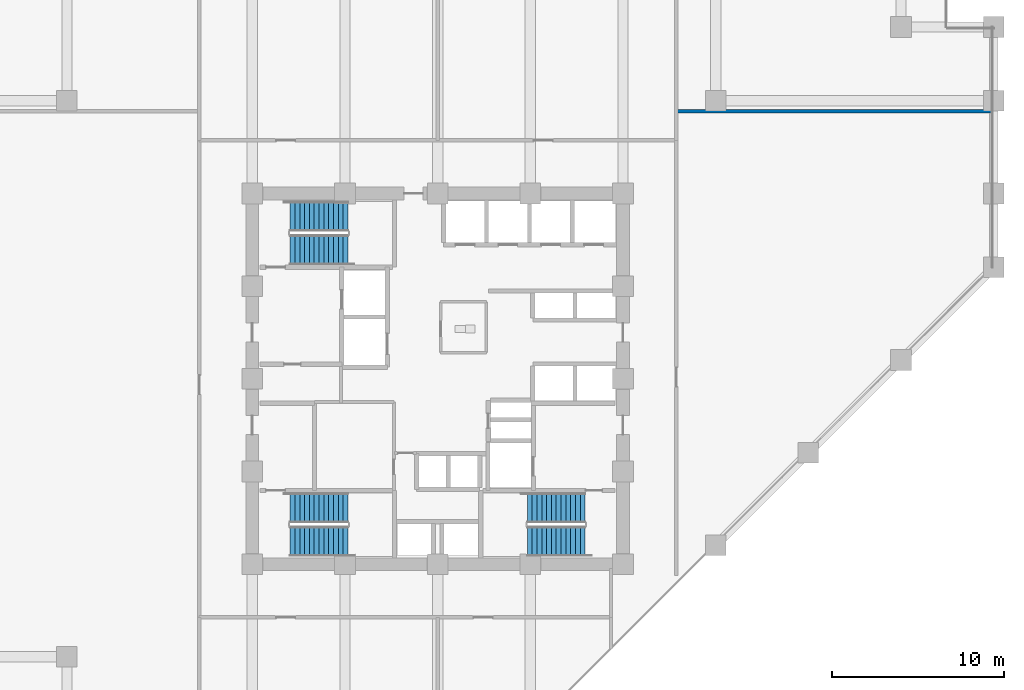
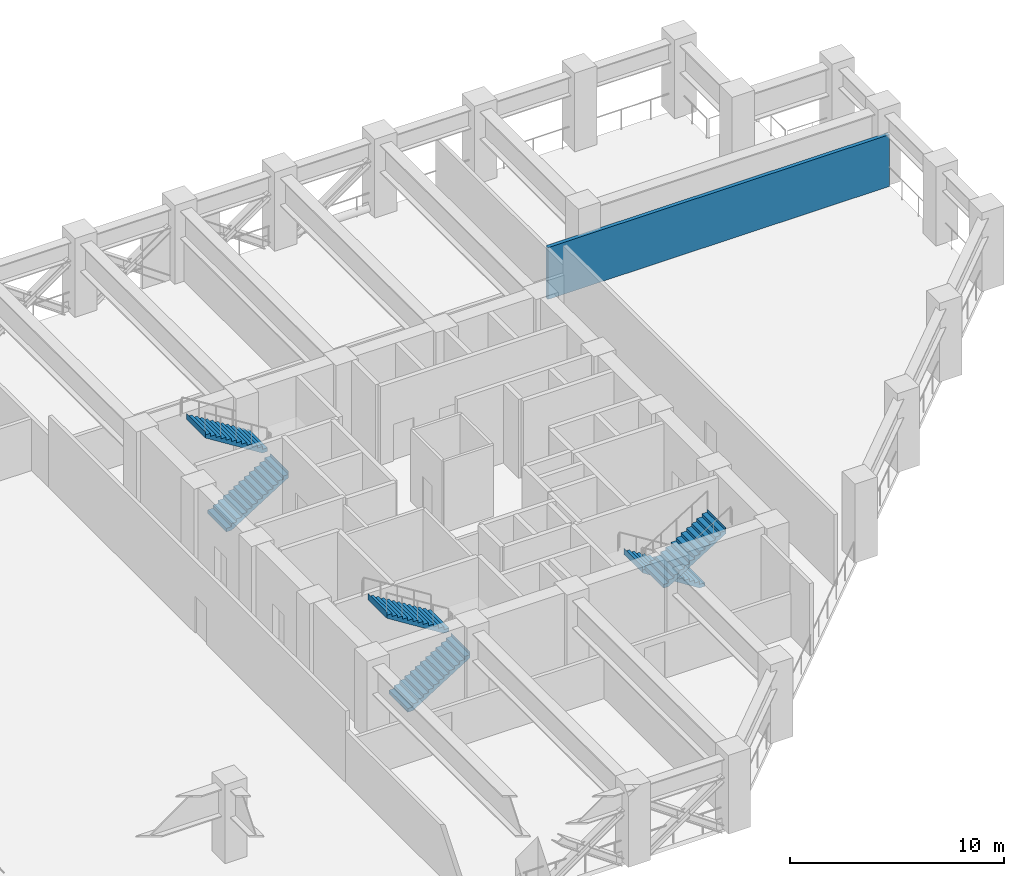
# One storey, part 6 of 12: 6 stair flights, 1 wall, 3 elements without a shape of their own.
"""IFC4 building model written with IfcOpenShell, lengths in metres."""

from ifc_helpers import new_model, si_unit, direction, frame, frame_2d, origin, place, context, subcontext, project, spatial, polyline, rectangle, outline, extrude, material, layer, layer_set, type_object, element, aggregate, save


model = new_model("IFC4")

# Units and contexts
model_context = context("Model", 3, precision=1e-05, world=origin(), true_north=direction((0.0, 1.0)))
body_context = subcontext(model_context, "Body", "Model", "MODEL_VIEW")
ifc_project = project(units=[si_unit("LENGTHUNIT", "METRE"), si_unit("AREAUNIT", "SQUARE_METRE"), si_unit("VOLUMEUNIT", "CUBIC_METRE"), si_unit("PLANEANGLEUNIT", "RADIAN"), si_unit("MASSUNIT", "GRAM", prefix="KILO")], contexts=[model_context])

# Site, building, storey
site_placement = place(None, origin())
site = spatial("IfcSite", under=ifc_project, at=site_placement, CompositionType="ELEMENT")
building_placement = place(site_placement, origin())
building = spatial("IfcBuilding", under=site, at=building_placement, Name="Surkhivell Harbour Commons", CompositionType="ELEMENT")
storey_placement = place(building_placement, frame((0.0, 0.0, 78.75)))
storey = spatial("IfcBuildingStorey", under=building, at=storey_placement, Name="L20", CompositionType="ELEMENT", Elevation=78.75)

# Wall
ifc_material_1 = material(Name="Autoclaved aerated concrete blockwork and fire plaster", Category="masonry")
ifc_layer = layer(ifc_material_1, 0.199951171875)
ifc_layer_set = layer_set([ifc_layer], Name="Autoclaved aerated concrete blockwork and fire plaster")
wall_type = type_object("IfcWallType", Name="WAL-INT-200", PredefinedType="PARTITIONING", material=ifc_layer_set)
wall_placement = place(storey_placement, frame((13.89990234375, 15.60009765625, 0.0), z_axis=(0.0, 0.0, 1.0), x_axis=(1.0, 0.0, 0.0)))
element("IfcWall", 1, at=wall_placement, inside=storey, type_object=wall_type, Name="L20 East Refuge North Casing Wall", PredefinedType="PARTITIONING", context=body_context, shape_type="SweptSolid", body=[
    extrude(rectangle(XDim=18.460205078125, YDim=0.199951171875, at=frame_2d((9.22998046875, 0.0))), origin(), (0.0, 0.0, 1.0), 2.9599609375),
])

# Stair, stair flights
ifc_material_2 = material(Name="Precast concrete C45/55", Category="concrete")
stair_type = type_object("IfcStairType", Name="STR-DL-450", PredefinedType="HALF_TURN_STAIR", material=ifc_material_2)
stair_1_placement = place(storey_placement, origin())
stair_1 = element("IfcStair", 2, at=stair_1_placement, inside=storey, type_object=stair_type, Name="L20 Core Exit Stair ST1", PredefinedType="HALF_TURN_STAIR")
stair_flight_type = type_object("IfcStairFlightType", Name="STF-DL-450", PredefinedType="STRAIGHT", material=ifc_material_2)
stair_flight_1_placement = place(storey_placement, frame((-8.590087890625, 7.514892578125, 0.0), z_axis=(0.0, 0.0, 1.0), x_axis=(1.0, 0.0, 0.0)))
stair_flight_1 = element("IfcStairFlight", 3, at=stair_flight_1_placement, type_object=stair_flight_type, Name="ST1 flight 1", NumberOfRisers=13, NumberOfTreads=12, PredefinedType="STRAIGHT", RiserHeight=0.173076923, TreadLength=0.28, context=body_context, shape_type="SweptSolid", body=[
    extrude(outline(polyline([(-0.0029296875, -0.034912109375), (-0.0029296875, 0.0), (0.0, 0.0), (0.0, 0.173095703125), (0.280029296875, 0.173095703125), (0.280029296875, 0.34619140625), (0.56005859375, 0.34619140625), (0.56005859375, 0.519287109375), (0.840087890625, 0.519287109375), (0.840087890625, 0.6923828125), (1.1201171875, 0.6923828125), (1.1201171875, 0.865478515625), (1.39990234375, 0.865478515625), (1.39990234375, 1.03857421875), (1.679931640625, 1.03857421875), (1.679931640625, 1.21142578125), (1.9599609375, 1.21142578125), (1.9599609375, 1.384521484375), (2.239990234375, 1.384521484375), (2.239990234375, 1.5576171875), (2.52001953125, 1.5576171875), (2.52001953125, 1.730712890625), (2.800048828125, 1.730712890625), (2.800048828125, 1.90380859375), (3.080078125, 1.90380859375), (3.080078125, 2.076904296875), (3.360107421875, 2.076904296875), (3.360107421875, 2.25), (3.363037109375, 2.25), (3.363037109375, 1.900634765625), (0.28515625, -0.034912109375), (-0.0029296875, -0.034912109375)])), frame((0.0, 0.875, 0.0), z_axis=(0.0, -1.0, 0.0), x_axis=(1.0, 0.0, 0.0)), (0.0, 0.0, 1.0), 1.75),
])
stair_flight_2_placement = place(storey_placement, frame((-5.22998046875, 9.465087890625, 2.25), z_axis=(0.0, 0.0, 1.0), x_axis=(-1.0, 0.0, 0.0)))
stair_flight_2 = element("IfcStairFlight", 4, at=stair_flight_2_placement, type_object=stair_flight_type, Name="ST1 flight 2", NumberOfRisers=13, NumberOfTreads=12, PredefinedType="STRAIGHT", RiserHeight=0.173076923, TreadLength=0.28, context=body_context, shape_type="SweptSolid", body=[
    extrude(outline(polyline([(-0.0029296875, -0.034912109375), (-0.0029296875, 0.0), (0.0, 0.0), (0.0, 0.173095703125), (0.280029296875, 0.173095703125), (0.280029296875, 0.34619140625), (0.56005859375, 0.34619140625), (0.56005859375, 0.519287109375), (0.840087890625, 0.519287109375), (0.840087890625, 0.6923828125), (1.1201171875, 0.6923828125), (1.1201171875, 0.865478515625), (1.39990234375, 0.865478515625), (1.39990234375, 1.03857421875), (1.679931640625, 1.03857421875), (1.679931640625, 1.21142578125), (1.9599609375, 1.21142578125), (1.9599609375, 1.384521484375), (2.239990234375, 1.384521484375), (2.239990234375, 1.5576171875), (2.52001953125, 1.5576171875), (2.52001953125, 1.730712890625), (2.800048828125, 1.730712890625), (2.800048828125, 1.90380859375), (3.080078125, 1.90380859375), (3.080078125, 2.076904296875), (3.360107421875, 2.076904296875), (3.360107421875, 2.25), (3.363037109375, 2.25), (3.363037109375, 1.900634765625), (0.28515625, -0.034912109375), (-0.0029296875, -0.034912109375)])), frame((0.0, 0.875, 0.0), z_axis=(0.0, -1.0, 0.0), x_axis=(1.0, 0.0, 0.0)), (0.0, 0.0, 1.0), 1.75),
])
aggregate(stair_1, [stair_flight_1, stair_flight_2])

stair_2_placement = place(storey_placement, origin())
stair_2 = element("IfcStair", 5, at=stair_2_placement, inside=storey, type_object=stair_type, Name="L20 Core Exit Stair ST2", PredefinedType="HALF_TURN_STAIR")
stair_flight_3_placement = place(storey_placement, frame((8.590087890625, -7.514892578125, 0.0), z_axis=(0.0, 0.0, 1.0), x_axis=(-1.0, 0.0, 0.0)))
stair_flight_3 = element("IfcStairFlight", 6, at=stair_flight_3_placement, type_object=stair_flight_type, Name="ST2 flight 1", NumberOfRisers=13, NumberOfTreads=12, PredefinedType="STRAIGHT", RiserHeight=0.173076923, TreadLength=0.28, context=body_context, shape_type="SweptSolid", body=[
    extrude(outline(polyline([(-0.0029296875, -0.034912109375), (-0.0029296875, 0.0), (0.0, 0.0), (0.0, 0.173095703125), (0.280029296875, 0.173095703125), (0.280029296875, 0.34619140625), (0.56005859375, 0.34619140625), (0.56005859375, 0.519287109375), (0.840087890625, 0.519287109375), (0.840087890625, 0.6923828125), (1.1201171875, 0.6923828125), (1.1201171875, 0.865478515625), (1.39990234375, 0.865478515625), (1.39990234375, 1.03857421875), (1.679931640625, 1.03857421875), (1.679931640625, 1.21142578125), (1.9599609375, 1.21142578125), (1.9599609375, 1.384521484375), (2.239990234375, 1.384521484375), (2.239990234375, 1.5576171875), (2.52001953125, 1.5576171875), (2.52001953125, 1.730712890625), (2.800048828125, 1.730712890625), (2.800048828125, 1.90380859375), (3.080078125, 1.90380859375), (3.080078125, 2.076904296875), (3.360107421875, 2.076904296875), (3.360107421875, 2.25), (3.363037109375, 2.25), (3.363037109375, 1.900634765625), (0.28515625, -0.034912109375), (-0.0029296875, -0.034912109375)])), frame((0.0, 0.875, 0.0), z_axis=(0.0, -1.0, 0.0), x_axis=(1.0, 0.0, 0.0)), (0.0, 0.0, 1.0), 1.75),
])
stair_flight_4_placement = place(storey_placement, frame((5.22998046875, -9.465087890625, 2.25), z_axis=(0.0, 0.0, 1.0), x_axis=(1.0, 0.0, 0.0)))
stair_flight_4 = element("IfcStairFlight", 7, at=stair_flight_4_placement, type_object=stair_flight_type, Name="ST2 flight 2", NumberOfRisers=13, NumberOfTreads=12, PredefinedType="STRAIGHT", RiserHeight=0.173076923, TreadLength=0.28, context=body_context, shape_type="SweptSolid", body=[
    extrude(outline(polyline([(-0.0029296875, -0.034912109375), (-0.0029296875, 0.0), (0.0, 0.0), (0.0, 0.173095703125), (0.280029296875, 0.173095703125), (0.280029296875, 0.34619140625), (0.56005859375, 0.34619140625), (0.56005859375, 0.519287109375), (0.840087890625, 0.519287109375), (0.840087890625, 0.6923828125), (1.1201171875, 0.6923828125), (1.1201171875, 0.865478515625), (1.39990234375, 0.865478515625), (1.39990234375, 1.03857421875), (1.679931640625, 1.03857421875), (1.679931640625, 1.21142578125), (1.9599609375, 1.21142578125), (1.9599609375, 1.384521484375), (2.239990234375, 1.384521484375), (2.239990234375, 1.5576171875), (2.52001953125, 1.5576171875), (2.52001953125, 1.730712890625), (2.800048828125, 1.730712890625), (2.800048828125, 1.90380859375), (3.080078125, 1.90380859375), (3.080078125, 2.076904296875), (3.360107421875, 2.076904296875), (3.360107421875, 2.25), (3.363037109375, 2.25), (3.363037109375, 1.900634765625), (0.28515625, -0.034912109375), (-0.0029296875, -0.034912109375)])), frame((0.0, 0.875, 0.0), z_axis=(0.0, -1.0, 0.0), x_axis=(1.0, 0.0, 0.0)), (0.0, 0.0, 1.0), 1.75),
])
aggregate(stair_2, [stair_flight_3, stair_flight_4])

stair_3_placement = place(storey_placement, origin())
stair_3 = element("IfcStair", 8, at=stair_3_placement, inside=storey, type_object=stair_type, Name="L20 Core Exit Stair ST3", PredefinedType="HALF_TURN_STAIR")
stair_flight_5_placement = place(storey_placement, frame((-8.590087890625, -9.465087890625, 0.0), z_axis=(0.0, 0.0, 1.0), x_axis=(1.0, 0.0, 0.0)))
stair_flight_5 = element("IfcStairFlight", 9, at=stair_flight_5_placement, type_object=stair_flight_type, Name="ST3 flight 1", NumberOfRisers=13, NumberOfTreads=12, PredefinedType="STRAIGHT", RiserHeight=0.173076923, TreadLength=0.28, context=body_context, shape_type="SweptSolid", body=[
    extrude(outline(polyline([(-0.0029296875, -0.034912109375), (-0.0029296875, 0.0), (0.0, 0.0), (0.0, 0.173095703125), (0.280029296875, 0.173095703125), (0.280029296875, 0.34619140625), (0.56005859375, 0.34619140625), (0.56005859375, 0.519287109375), (0.840087890625, 0.519287109375), (0.840087890625, 0.6923828125), (1.1201171875, 0.6923828125), (1.1201171875, 0.865478515625), (1.39990234375, 0.865478515625), (1.39990234375, 1.03857421875), (1.679931640625, 1.03857421875), (1.679931640625, 1.21142578125), (1.9599609375, 1.21142578125), (1.9599609375, 1.384521484375), (2.239990234375, 1.384521484375), (2.239990234375, 1.5576171875), (2.52001953125, 1.5576171875), (2.52001953125, 1.730712890625), (2.800048828125, 1.730712890625), (2.800048828125, 1.90380859375), (3.080078125, 1.90380859375), (3.080078125, 2.076904296875), (3.360107421875, 2.076904296875), (3.360107421875, 2.25), (3.363037109375, 2.25), (3.363037109375, 1.900634765625), (0.28515625, -0.034912109375), (-0.0029296875, -0.034912109375)])), frame((0.0, 0.875, 0.0), z_axis=(0.0, -1.0, 0.0), x_axis=(1.0, 0.0, 0.0)), (0.0, 0.0, 1.0), 1.75),
])
stair_flight_6_placement = place(storey_placement, frame((-5.22998046875, -7.514892578125, 2.25), z_axis=(0.0, 0.0, 1.0), x_axis=(-1.0, 0.0, 0.0)))
stair_flight_6 = element("IfcStairFlight", 10, at=stair_flight_6_placement, type_object=stair_flight_type, Name="ST3 flight 2", NumberOfRisers=13, NumberOfTreads=12, PredefinedType="STRAIGHT", RiserHeight=0.173076923, TreadLength=0.28, context=body_context, shape_type="SweptSolid", body=[
    extrude(outline(polyline([(-0.0029296875, -0.034912109375), (-0.0029296875, 0.0), (0.0, 0.0), (0.0, 0.173095703125), (0.280029296875, 0.173095703125), (0.280029296875, 0.34619140625), (0.56005859375, 0.34619140625), (0.56005859375, 0.519287109375), (0.840087890625, 0.519287109375), (0.840087890625, 0.6923828125), (1.1201171875, 0.6923828125), (1.1201171875, 0.865478515625), (1.39990234375, 0.865478515625), (1.39990234375, 1.03857421875), (1.679931640625, 1.03857421875), (1.679931640625, 1.21142578125), (1.9599609375, 1.21142578125), (1.9599609375, 1.384521484375), (2.239990234375, 1.384521484375), (2.239990234375, 1.5576171875), (2.52001953125, 1.5576171875), (2.52001953125, 1.730712890625), (2.800048828125, 1.730712890625), (2.800048828125, 1.90380859375), (3.080078125, 1.90380859375), (3.080078125, 2.076904296875), (3.360107421875, 2.076904296875), (3.360107421875, 2.25), (3.363037109375, 2.25), (3.363037109375, 1.900634765625), (0.28515625, -0.034912109375), (-0.0029296875, -0.034912109375)])), frame((0.0, 0.875, 0.0), z_axis=(0.0, -1.0, 0.0), x_axis=(1.0, 0.0, 0.0)), (0.0, 0.0, 1.0), 1.75),
])
aggregate(stair_3, [stair_flight_5, stair_flight_6])

save(model, "model.ifc")
